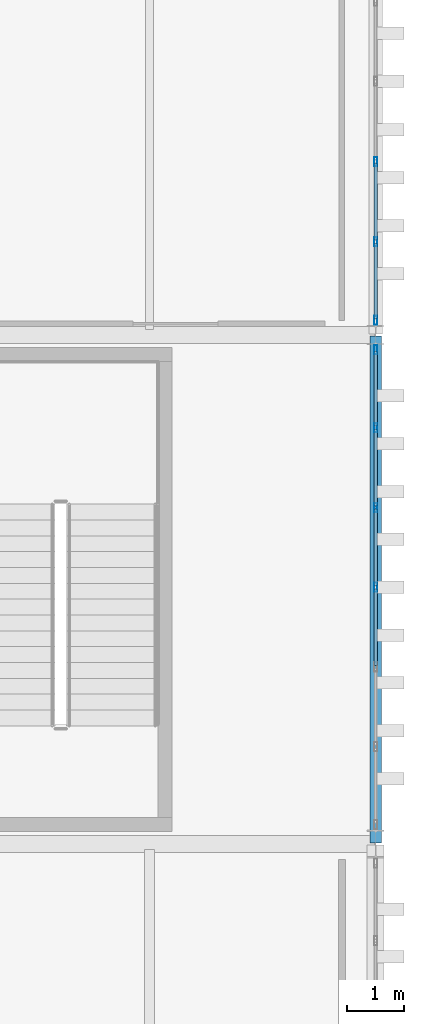
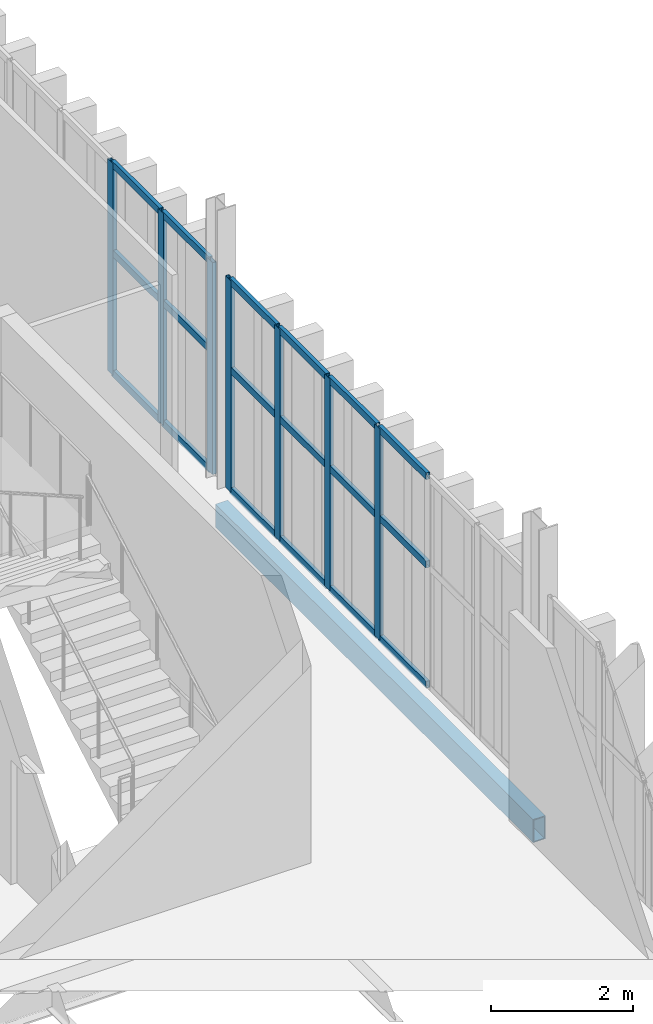
# One storey, part 153 of 196: 25 members, 1 beam, 2 elements without a shape of their own.
"""IFC4 building model written with IfcOpenShell, lengths in metres."""

from ifc_helpers import new_model, si_unit, direction, frame, origin, origin_2d, place, context, subcontext, project, spatial, hollow_rectangle, extrude, material, layer, layer_set, material_profile, profile_set, type_object, element, aggregate, save


model = new_model("IFC4")

# Units and contexts
model_context = context("Model", 3, precision=1e-05, world=origin(), true_north=direction((0.0, 1.0)))
body_context = subcontext(model_context, "Body", "Model", "MODEL_VIEW")
ifc_project = project(units=[si_unit("LENGTHUNIT", "METRE"), si_unit("AREAUNIT", "SQUARE_METRE"), si_unit("VOLUMEUNIT", "CUBIC_METRE"), si_unit("PLANEANGLEUNIT", "RADIAN"), si_unit("MASSUNIT", "GRAM", prefix="KILO")], contexts=[model_context])

# Site, building, storey
site_placement = place(None, origin())
site = spatial("IfcSite", under=ifc_project, at=site_placement, CompositionType="ELEMENT")
building_placement = place(site_placement, origin())
building = spatial("IfcBuilding", under=site, at=building_placement, Name="Barlavento Convention Centre", CompositionType="ELEMENT")
storey_placement = place(building_placement, frame((0.0, 0.0, 18.0)))
storey = spatial("IfcBuildingStorey", under=building, at=storey_placement, Name="L03", CompositionType="ELEMENT", Elevation=18.0)

# Curtain wall, members
ifc_material_1 = material(Name="Powder-coated aluminium and Low-E glass", Category="aluminium")
ifc_layer = layer(ifc_material_1, 0.179931640625)
ifc_layer_set = layer_set([ifc_layer], Name="ARC-CW-CONF-L03")
curtain_wall_type = type_object("IfcCurtainWallType", Name="ARC-CW-CONF-L03", PredefinedType="NOTDEFINED", material=ifc_layer_set)
curtain_wall_1_placement = place(storey_placement, origin())
curtain_wall_1 = element("IfcCurtainWall", 1, at=curtain_wall_1_placement, inside=storey, type_object=curtain_wall_type, Name="L03 unitised curtain wall CW08", PredefinedType="NOTDEFINED")
ifc_material_2 = material(Name="Powder-coated aluminium", Category="aluminium")
ifc_material_profile_1 = material_profile(ifc_material_2, hollow_rectangle(XDim=0.06005859375, YDim=0.159912109375, WallThickness=0.00390625, at=origin_2d()), Name="AL-MULL 60x160x4")
ifc_profile_set_1 = profile_set([ifc_material_profile_1], Name="Powder-coated aluminium")
member_type_1 = type_object("IfcMemberType", Name="ARC-CWM-60X160", PredefinedType="MULLION", material=ifc_profile_set_1)
member_1_placement = place(storey_placement, frame((192.0, 76.5400390625, 0.0), z_axis=(0.0, 0.0, 1.0), x_axis=(-1.0, 0.0, 0.0)))
member_1 = element("IfcMember", 2, at=member_1_placement, type_object=member_type_1, Name="CW08 mullion 4", PredefinedType="MULLION", context=body_context, shape_type="SweptSolid", body=[
    extrude(hollow_rectangle(XDim=0.06005859375, YDim=0.159912109375, WallThickness=0.00390625, at=origin_2d()), origin(), (0.0, 0.0, 1.0), 3.64990234375),
])
member_2_placement = place(storey_placement, frame((192.0, 77.949951171875, 0.0), z_axis=(0.0, 0.0, 1.0), x_axis=(-1.0, 0.0, 0.0)))
member_2 = element("IfcMember", 3, at=member_2_placement, type_object=member_type_1, Name="CW08 mullion 5", PredefinedType="MULLION", context=body_context, shape_type="SweptSolid", body=[
    extrude(hollow_rectangle(XDim=0.06005859375, YDim=0.159912109375, WallThickness=0.00390625, at=origin_2d()), origin(), (0.0, 0.0, 1.0), 3.64990234375),
])
member_3_placement = place(storey_placement, frame((192.0, 79.360107421875, 0.0), z_axis=(0.0, 0.0, 1.0), x_axis=(-1.0, 0.0, 0.0)))
member_3 = element("IfcMember", 4, at=member_3_placement, type_object=member_type_1, Name="CW08 mullion 6", PredefinedType="MULLION", context=body_context, shape_type="SweptSolid", body=[
    extrude(hollow_rectangle(XDim=0.06005859375, YDim=0.159912109375, WallThickness=0.00390625, at=origin_2d()), origin(), (0.0, 0.0, 1.0), 3.64990234375),
])
member_4_placement = place(storey_placement, frame((192.0, 80.739990234375, 0.0), z_axis=(0.0, 0.0, 1.0), x_axis=(-1.0, 0.0, 0.0)))
member_4 = element("IfcMember", 5, at=member_4_placement, type_object=member_type_1, Name="CW08 mullion 7", PredefinedType="MULLION", context=body_context, shape_type="SweptSolid", body=[
    extrude(hollow_rectangle(XDim=0.06005859375, YDim=0.159912109375, WallThickness=0.00390625, at=origin_2d()), origin(), (0.0, 0.0, 1.0), 3.64990234375),
])

curtain_wall_2_placement = place(storey_placement, origin())
curtain_wall_2 = element("IfcCurtainWall", 6, at=curtain_wall_2_placement, inside=storey, type_object=curtain_wall_type, Name="L03 unitised curtain wall CW08", PredefinedType="NOTDEFINED")
member_5_placement = place(storey_placement, frame((192.0, 81.260009765625, 0.0), z_axis=(0.0, 0.0, 1.0), x_axis=(-1.0, 0.0, 0.0)))
member_5 = element("IfcMember", 7, at=member_5_placement, type_object=member_type_1, Name="CW08 mullion 1", PredefinedType="MULLION", context=body_context, shape_type="SweptSolid", body=[
    extrude(hollow_rectangle(XDim=0.06005859375, YDim=0.159912109375, WallThickness=0.00390625, at=origin_2d()), origin(), (0.0, 0.0, 1.0), 3.64990234375),
])
member_6_placement = place(storey_placement, frame((192.0, 82.6484375, 0.0), z_axis=(0.0, 0.0, 1.0), x_axis=(-1.0, 0.0, 0.0)))
member_6 = element("IfcMember", 8, at=member_6_placement, type_object=member_type_1, Name="CW08 mullion 2", PredefinedType="MULLION", context=body_context, shape_type="SweptSolid", body=[
    extrude(hollow_rectangle(XDim=0.06005859375, YDim=0.159912109375, WallThickness=0.00390625, at=origin_2d()), origin(), (0.0, 0.0, 1.0), 3.64990234375),
])
member_7_placement = place(storey_placement, frame((192.0, 84.066650390625, 0.0), z_axis=(0.0, 0.0, 1.0), x_axis=(-1.0, 0.0, 0.0)))
member_7 = element("IfcMember", 9, at=member_7_placement, type_object=member_type_1, Name="CW08 mullion 3", PredefinedType="MULLION", context=body_context, shape_type="SweptSolid", body=[
    extrude(hollow_rectangle(XDim=0.06005859375, YDim=0.159912109375, WallThickness=0.00390625, at=origin_2d()), origin(), (0.0, 0.0, 1.0), 3.64990234375),
])

# Member
ifc_material_profile_2 = material_profile(ifc_material_2, hollow_rectangle(XDim=0.06005859375, YDim=0.1201171875, WallThickness=0.00390625, at=origin_2d()), Name="AL-TRAN 60x120x4")
ifc_profile_set_2 = profile_set([ifc_material_profile_2], Name="Powder-coated aluminium")
member_type_2 = type_object("IfcMemberType", Name="ARC-CWT-60X120", PredefinedType="USERDEFINED", material=ifc_profile_set_2)
member_8_placement = place(storey_placement, frame((192.0, 75.159912109375, 0.030029296875), z_axis=(0.0, 1.0, 0.0), x_axis=(-1.0, 0.0, 0.0)))
member_8 = element("IfcMember", 10, at=member_8_placement, type_object=member_type_2, Name="CW08 transom 3.1", ObjectType="TRANSOM", PredefinedType="USERDEFINED", context=body_context, shape_type="SweptSolid", body=[
    extrude(hollow_rectangle(XDim=0.06005859375, YDim=0.1201171875, WallThickness=0.00390625, at=origin_2d()), origin(), (0.0, 0.0, 1.0), 1.35009765625),
])

member_9_placement = place(storey_placement, frame((192.0, 75.159912109375, 2.10009765625), z_axis=(0.0, 1.0, 0.0), x_axis=(-1.0, 0.0, 0.0)))
member_9 = element("IfcMember", 11, at=member_9_placement, type_object=member_type_2, Name="CW08 transom 3.2", ObjectType="TRANSOM", PredefinedType="USERDEFINED", context=body_context, shape_type="SweptSolid", body=[
    extrude(hollow_rectangle(XDim=0.06005859375, YDim=0.1201171875, WallThickness=0.00390625, at=origin_2d()), origin(), (0.0, 0.0, 1.0), 1.35009765625),
])

member_10_placement = place(storey_placement, frame((192.0, 75.159912109375, 3.6201171875), z_axis=(0.0, 1.0, 0.0), x_axis=(-1.0, 0.0, 0.0)))
member_10 = element("IfcMember", 12, at=member_10_placement, type_object=member_type_2, Name="CW08 transom 3.3", ObjectType="TRANSOM", PredefinedType="USERDEFINED", context=body_context, shape_type="SweptSolid", body=[
    extrude(hollow_rectangle(XDim=0.06005859375, YDim=0.1201171875, WallThickness=0.00390625, at=origin_2d()), origin(), (0.0, 0.0, 1.0), 1.35009765625),
])

member_11_placement = place(storey_placement, frame((192.0, 76.570068359375, 0.030029296875), z_axis=(0.0, 1.0, 0.0), x_axis=(-1.0, 0.0, 0.0)))
member_11 = element("IfcMember", 13, at=member_11_placement, type_object=member_type_2, Name="CW08 transom 4.1", ObjectType="TRANSOM", PredefinedType="USERDEFINED", context=body_context, shape_type="SweptSolid", body=[
    extrude(hollow_rectangle(XDim=0.06005859375, YDim=0.1201171875, WallThickness=0.00390625, at=origin_2d()), origin(), (0.0, 0.0, 1.0), 1.349853515625),
])

member_12_placement = place(storey_placement, frame((192.0, 76.570068359375, 2.10009765625), z_axis=(0.0, 1.0, 0.0), x_axis=(-1.0, 0.0, 0.0)))
member_12 = element("IfcMember", 14, at=member_12_placement, type_object=member_type_2, Name="CW08 transom 4.2", ObjectType="TRANSOM", PredefinedType="USERDEFINED", context=body_context, shape_type="SweptSolid", body=[
    extrude(hollow_rectangle(XDim=0.06005859375, YDim=0.1201171875, WallThickness=0.00390625, at=origin_2d()), origin(), (0.0, 0.0, 1.0), 1.349853515625),
])

member_13_placement = place(storey_placement, frame((192.0, 76.570068359375, 3.6201171875), z_axis=(0.0, 1.0, 0.0), x_axis=(-1.0, 0.0, 0.0)))
member_13 = element("IfcMember", 15, at=member_13_placement, type_object=member_type_2, Name="CW08 transom 4.3", ObjectType="TRANSOM", PredefinedType="USERDEFINED", context=body_context, shape_type="SweptSolid", body=[
    extrude(hollow_rectangle(XDim=0.06005859375, YDim=0.1201171875, WallThickness=0.00390625, at=origin_2d()), origin(), (0.0, 0.0, 1.0), 1.349853515625),
])

member_14_placement = place(storey_placement, frame((192.0, 77.97998046875, 0.030029296875), z_axis=(0.0, 1.0, 0.0), x_axis=(-1.0, 0.0, 0.0)))
member_14 = element("IfcMember", 16, at=member_14_placement, type_object=member_type_2, Name="CW08 transom 5.1", ObjectType="TRANSOM", PredefinedType="USERDEFINED", context=body_context, shape_type="SweptSolid", body=[
    extrude(hollow_rectangle(XDim=0.06005859375, YDim=0.1201171875, WallThickness=0.00390625, at=origin_2d()), origin(), (0.0, 0.0, 1.0), 1.35009765625),
])

member_15_placement = place(storey_placement, frame((192.0, 77.97998046875, 2.10009765625), z_axis=(0.0, 1.0, 0.0), x_axis=(-1.0, 0.0, 0.0)))
member_15 = element("IfcMember", 17, at=member_15_placement, type_object=member_type_2, Name="CW08 transom 5.2", ObjectType="TRANSOM", PredefinedType="USERDEFINED", context=body_context, shape_type="SweptSolid", body=[
    extrude(hollow_rectangle(XDim=0.06005859375, YDim=0.1201171875, WallThickness=0.00390625, at=origin_2d()), origin(), (0.0, 0.0, 1.0), 1.35009765625),
])

member_16_placement = place(storey_placement, frame((192.0, 77.97998046875, 3.6201171875), z_axis=(0.0, 1.0, 0.0), x_axis=(-1.0, 0.0, 0.0)))
member_16 = element("IfcMember", 18, at=member_16_placement, type_object=member_type_2, Name="CW08 transom 5.3", ObjectType="TRANSOM", PredefinedType="USERDEFINED", context=body_context, shape_type="SweptSolid", body=[
    extrude(hollow_rectangle(XDim=0.06005859375, YDim=0.1201171875, WallThickness=0.00390625, at=origin_2d()), origin(), (0.0, 0.0, 1.0), 1.35009765625),
])

member_17_placement = place(storey_placement, frame((192.0, 79.389892578125, 0.030029296875), z_axis=(0.0, 1.0, 0.0), x_axis=(-1.0, 0.0, 0.0)))
member_17 = element("IfcMember", 19, at=member_17_placement, type_object=member_type_2, Name="CW08 transom 6.1", ObjectType="TRANSOM", PredefinedType="USERDEFINED", context=body_context, shape_type="SweptSolid", body=[
    extrude(hollow_rectangle(XDim=0.06005859375, YDim=0.1201171875, WallThickness=0.00390625, at=origin_2d()), origin(), (0.0, 0.0, 1.0), 1.320068359375),
])

member_18_placement = place(storey_placement, frame((192.0, 79.389892578125, 2.10009765625), z_axis=(0.0, 1.0, 0.0), x_axis=(-1.0, 0.0, 0.0)))
member_18 = element("IfcMember", 20, at=member_18_placement, type_object=member_type_2, Name="CW08 transom 6.2", ObjectType="TRANSOM", PredefinedType="USERDEFINED", context=body_context, shape_type="SweptSolid", body=[
    extrude(hollow_rectangle(XDim=0.06005859375, YDim=0.1201171875, WallThickness=0.00390625, at=origin_2d()), origin(), (0.0, 0.0, 1.0), 1.320068359375),
])

member_19_placement = place(storey_placement, frame((192.0, 79.389892578125, 3.6201171875), z_axis=(0.0, 1.0, 0.0), x_axis=(-1.0, 0.0, 0.0)))
member_19 = element("IfcMember", 21, at=member_19_placement, type_object=member_type_2, Name="CW08 transom 6.3", ObjectType="TRANSOM", PredefinedType="USERDEFINED", context=body_context, shape_type="SweptSolid", body=[
    extrude(hollow_rectangle(XDim=0.06005859375, YDim=0.1201171875, WallThickness=0.00390625, at=origin_2d()), origin(), (0.0, 0.0, 1.0), 1.320068359375),
])

aggregate(curtain_wall_1, [member_1, member_2, member_3, member_4, member_8, member_9, member_10, member_11, member_12, member_13, member_14, member_15, member_16, member_17, member_18, member_19])

member_20_placement = place(storey_placement, frame((192.0, 81.2900390625, 0.030029296875), z_axis=(0.0, 1.0, 0.0), x_axis=(-1.0, 0.0, 0.0)))
member_20 = element("IfcMember", 22, at=member_20_placement, type_object=member_type_2, Name="CW08 transom 1.1", ObjectType="TRANSOM", PredefinedType="USERDEFINED", context=body_context, shape_type="SweptSolid", body=[
    extrude(hollow_rectangle(XDim=0.06005859375, YDim=0.1201171875, WallThickness=0.00390625, at=origin_2d()), origin(), (0.0, 0.0, 1.0), 1.328369140625),
])

member_21_placement = place(storey_placement, frame((192.0, 81.2900390625, 2.10009765625), z_axis=(0.0, 1.0, 0.0), x_axis=(-1.0, 0.0, 0.0)))
member_21 = element("IfcMember", 23, at=member_21_placement, type_object=member_type_2, Name="CW08 transom 1.2", ObjectType="TRANSOM", PredefinedType="USERDEFINED", context=body_context, shape_type="SweptSolid", body=[
    extrude(hollow_rectangle(XDim=0.06005859375, YDim=0.1201171875, WallThickness=0.00390625, at=origin_2d()), origin(), (0.0, 0.0, 1.0), 1.328369140625),
])

member_22_placement = place(storey_placement, frame((192.0, 81.2900390625, 3.6201171875), z_axis=(0.0, 1.0, 0.0), x_axis=(-1.0, 0.0, 0.0)))
member_22 = element("IfcMember", 24, at=member_22_placement, type_object=member_type_2, Name="CW08 transom 1.3", ObjectType="TRANSOM", PredefinedType="USERDEFINED", context=body_context, shape_type="SweptSolid", body=[
    extrude(hollow_rectangle(XDim=0.06005859375, YDim=0.1201171875, WallThickness=0.00390625, at=origin_2d()), origin(), (0.0, 0.0, 1.0), 1.328369140625),
])

member_23_placement = place(storey_placement, frame((192.0, 82.67822265625, 0.030029296875), z_axis=(0.0, 1.0, 0.0), x_axis=(-1.0, 0.0, 0.0)))
member_23 = element("IfcMember", 25, at=member_23_placement, type_object=member_type_2, Name="CW08 transom 2.1", ObjectType="TRANSOM", PredefinedType="USERDEFINED", context=body_context, shape_type="SweptSolid", body=[
    extrude(hollow_rectangle(XDim=0.06005859375, YDim=0.1201171875, WallThickness=0.00390625, at=origin_2d()), origin(), (0.0, 0.0, 1.0), 1.3583984375),
])

member_24_placement = place(storey_placement, frame((192.0, 82.67822265625, 2.10009765625), z_axis=(0.0, 1.0, 0.0), x_axis=(-1.0, 0.0, 0.0)))
member_24 = element("IfcMember", 26, at=member_24_placement, type_object=member_type_2, Name="CW08 transom 2.2", ObjectType="TRANSOM", PredefinedType="USERDEFINED", context=body_context, shape_type="SweptSolid", body=[
    extrude(hollow_rectangle(XDim=0.06005859375, YDim=0.1201171875, WallThickness=0.00390625, at=origin_2d()), origin(), (0.0, 0.0, 1.0), 1.3583984375),
])

member_25_placement = place(storey_placement, frame((192.0, 82.67822265625, 3.6201171875), z_axis=(0.0, 1.0, 0.0), x_axis=(-1.0, 0.0, 0.0)))
member_25 = element("IfcMember", 27, at=member_25_placement, type_object=member_type_2, Name="CW08 transom 2.3", ObjectType="TRANSOM", PredefinedType="USERDEFINED", context=body_context, shape_type="SweptSolid", body=[
    extrude(hollow_rectangle(XDim=0.06005859375, YDim=0.1201171875, WallThickness=0.00390625, at=origin_2d()), origin(), (0.0, 0.0, 1.0), 1.3583984375),
])

aggregate(curtain_wall_2, [member_5, member_6, member_7, member_20, member_21, member_22, member_23, member_24, member_25])

# Beam
ifc_material_3 = material(Name="Steel S355", Category="steel")
ifc_material_profile_3 = material_profile(ifc_material_3, hollow_rectangle(XDim=0.199951171875, YDim=0.39990234375, WallThickness=0.01611328125, at=origin_2d()), Name="RHS 400x200x16.0")
ifc_profile_set_3 = profile_set([ifc_material_profile_3], Name="Steel S355")
beam_type = type_object("IfcBeamType", Name="STR-BM-SPN-RHS400", PredefinedType="SPANDREL", material=ifc_profile_set_3)
beam_placement = place(storey_placement, frame((192.0, 72.02001953125, -0.56005859375), z_axis=(0.0, 1.0, 0.0), x_axis=(-1.0, 0.0, 0.0)))
element("IfcBeam", 28, at=beam_placement, inside=storey, type_object=beam_type, Name="L03 grid girder SP06", PredefinedType="SPANDREL", context=body_context, shape_type="SweptSolid", body=[
    extrude(hollow_rectangle(XDim=0.199951171875, YDim=0.39990234375, WallThickness=0.01611328125, at=origin_2d()), origin(), (0.0, 0.0, 1.0), 8.9599609375),
])

save(model, "model.ifc")
